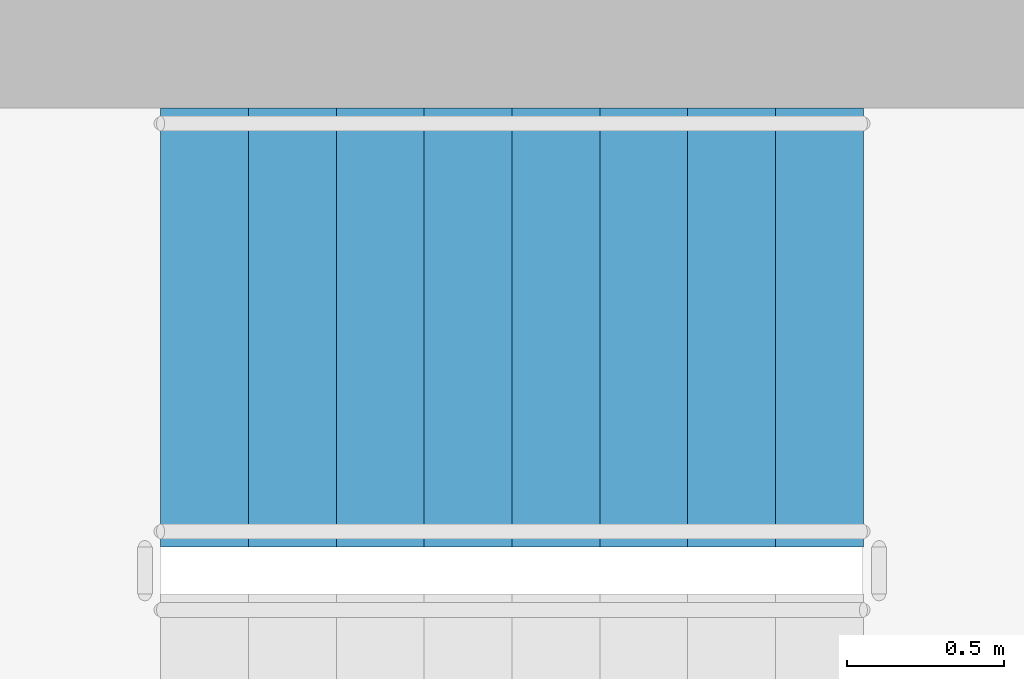
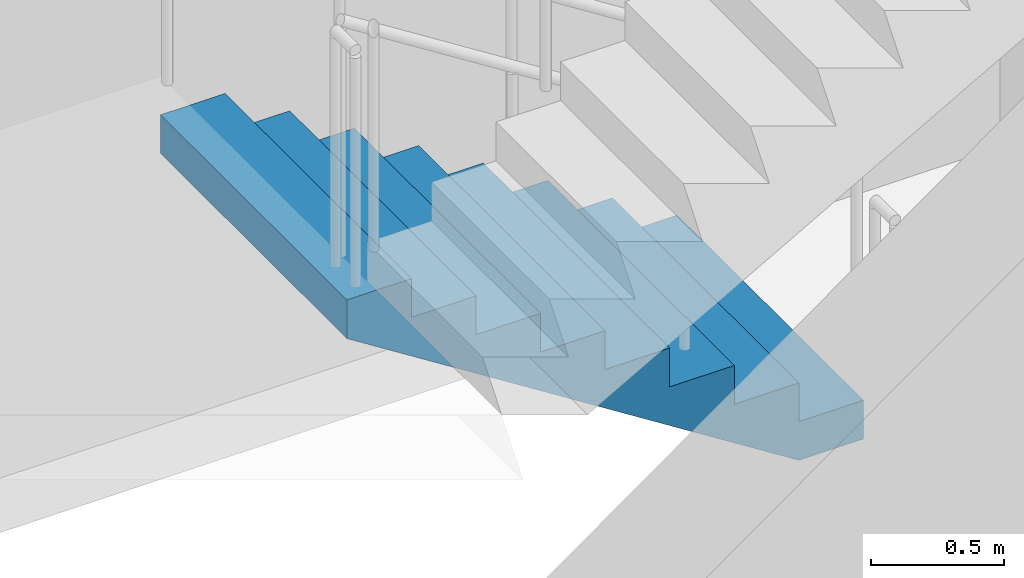
# One storey, part 8 of 12: 1 stair flight, 1 element without a shape of its own.
"""IFC4 building model written with IfcOpenShell, lengths in metres."""

from ifc_helpers import new_model, si_unit, direction, frame, origin, place, context, subcontext, project, spatial, polyline, outline, extrude, source, transform, mapped, material, type_object, element, aggregate, save


model = new_model("IFC4")

# Units and contexts
model_context = context("Model", 3, precision=1e-05, world=origin(), true_north=direction((0.0, 1.0)))
body_context = subcontext(model_context, "Body", "Model", "MODEL_VIEW")
ifc_project = project(units=[si_unit("LENGTHUNIT", "METRE"), si_unit("AREAUNIT", "SQUARE_METRE"), si_unit("VOLUMEUNIT", "CUBIC_METRE"), si_unit("PLANEANGLEUNIT", "RADIAN"), si_unit("MASSUNIT", "GRAM", prefix="KILO")], contexts=[model_context])

# Site, building, storey
site_placement = place(None, origin())
site = spatial("IfcSite", under=ifc_project, at=site_placement, CompositionType="ELEMENT")
building_placement = place(site_placement, origin())
building = spatial("IfcBuilding", under=site, at=building_placement, Name="Qafzar Sky-Pleat Residences", CompositionType="ELEMENT")
storey_placement = place(building_placement, frame((0.0, 0.0, 174.60009765625)))
storey = spatial("IfcBuildingStorey", under=building, at=storey_placement, Name="L52", CompositionType="ELEMENT", Elevation=174.60009765625)

# Stair, stair flight
ifc_material = material(Name="Concrete C40/50", Category="concrete")
stair_type = type_object("IfcStairType", Name="STAIR-H320", PredefinedType="HALF_TURN_STAIR", material=ifc_material)
stair_placement = place(storey_placement, origin())
stair = element("IfcStair", 1, at=stair_placement, inside=storey, type_object=stair_type, Name="L52 Protected Exit Stair ST2", PredefinedType="HALF_TURN_STAIR")
stair_flight_type = type_object("IfcStairFlightType", Name="FLIGHT-H320", PredefinedType="STRAIGHT", material=ifc_material)
shared_shape = source(origin(), body_context, "Body", "SweptSolid", [
    extrude(outline(polyline([(0.0, 0.0), (0.0, 0.177734375), (0.280029296875, 0.177734375), (0.280029296875, 0.35546875), (0.56005859375, 0.35546875), (0.56005859375, 0.533447265625), (0.840087890625, 0.533447265625), (0.840087890625, 0.711181640625), (1.1201171875, 0.711181640625), (1.1201171875, 0.888916015625), (1.39990234375, 0.888916015625), (1.39990234375, 1.066650390625), (1.679931640625, 1.066650390625), (1.679931640625, 1.244384765625), (1.9599609375, 1.244384765625), (1.9599609375, 1.422119140625), (2.239990234375, 1.422119140625), (2.239990234375, 1.60009765625), (2.239990234375, 1.24462890625), (0.27978515625, 0.0), (0.0, 0.0)])), frame((0.0, 0.699951171875, 0.0), z_axis=(0.0, -1.0, 0.0), x_axis=(1.0, 0.0, 0.0)), (0.0, 0.0, 1.0), 1.39990234375),
])
stair_flight_placement = place(storey_placement, frame((30.800048828125, 33.10009765625, 0.0), z_axis=(0.0, 0.0, 1.0), x_axis=(-1.0, 0.0, 0.0)))
stair_flight = element("IfcStairFlight", 2, at=stair_flight_placement, type_object=stair_flight_type, Name="ST2 flight 1", NumberOfRisers=9, NumberOfTreads=8, PredefinedType="STRAIGHT", RiserHeight=0.177777778, TreadLength=0.28, context=body_context, shape_type="MappedRepresentation", body=[
    mapped(shared_shape, transform((0.0, 0.0, 0.0), x_axis=(1.0, 0.0, 0.0), y_axis=(0.0, 1.0, 0.0), z_axis=(0.0, 0.0, 1.0), scale=1.0)),
])
aggregate(stair, [stair_flight])

save(model, "model.ifc")
